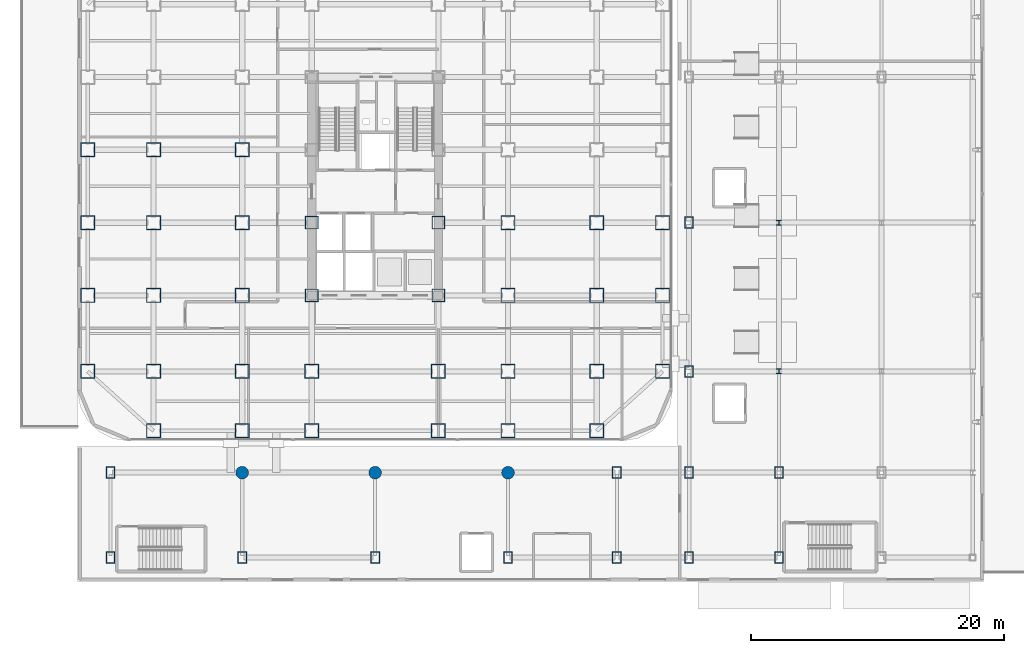
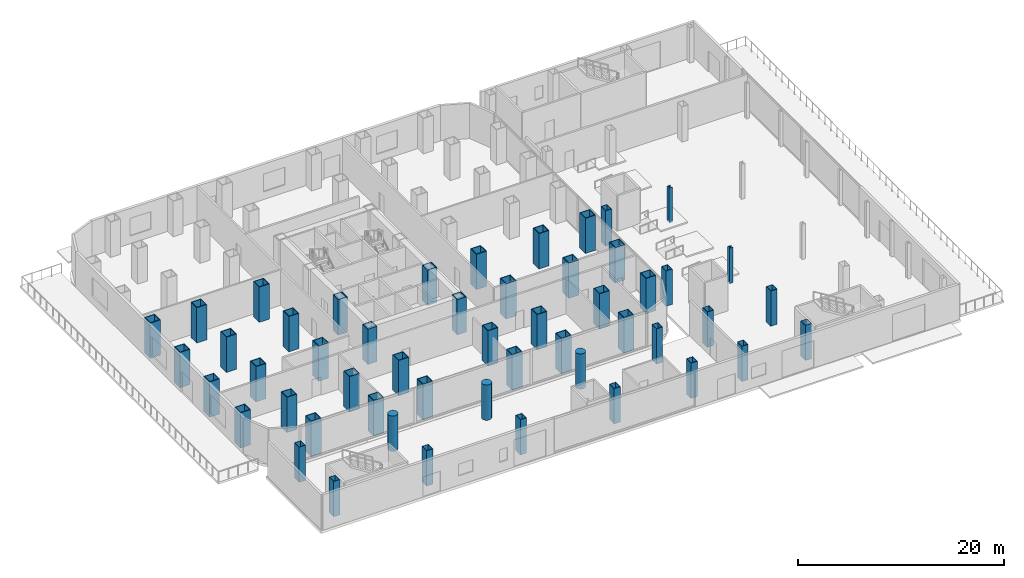
# One storey, part 1 of 31: 51 columns.
"""IFC4 building model written with IfcOpenShell, lengths in metres."""

from ifc_helpers import new_model, si_unit, direction, frame, origin, origin_2d, place, context, subcontext, project, spatial, hollow_rectangle, circle, i_section, extrude, source, transform, mapped, material, material_profile, profile_set, type_object, element, save


model = new_model("IFC4")

# Units and contexts
model_context = context("Model", 3, precision=1e-05, world=origin(), true_north=direction((0.0, 1.0)))
body_context = subcontext(model_context, "Body", "Model", "MODEL_VIEW")
ifc_project = project(units=[si_unit("LENGTHUNIT", "METRE"), si_unit("AREAUNIT", "SQUARE_METRE"), si_unit("VOLUMEUNIT", "CUBIC_METRE"), si_unit("PLANEANGLEUNIT", "RADIAN"), si_unit("MASSUNIT", "GRAM", prefix="KILO")], contexts=[model_context])

# Site, building, storey
site_placement = place(None, origin())
site = spatial("IfcSite", under=ifc_project, at=site_placement, CompositionType="ELEMENT")
building_placement = place(site_placement, origin())
building = spatial("IfcBuilding", under=site, at=building_placement, Name="Kolveth Station Tower", CompositionType="ELEMENT")
storey_placement = place(building_placement, origin())
storey = spatial("IfcBuildingStorey", under=building, at=storey_placement, Name="L00", CompositionType="ELEMENT", Elevation=0.0)

# Columns
ifc_material_1 = material(Name="Steel S460", Category="steel")
ifc_material_profile_1 = material_profile(ifc_material_1, hollow_rectangle(XDim=1.139892578125, YDim=1.139892578125, WallThickness=0.070068359375, at=origin_2d()), Name="BOX1140x1140x70")
ifc_profile_set_1 = profile_set([ifc_material_profile_1], Name="Steel S460")
column_type_1 = type_object("IfcColumnType", Name="Col_C1", PredefinedType="COLUMN", material=ifc_profile_set_1)
shared_shape_1 = source(origin(), body_context, "Body", "SweptSolid", [
    extrude(hollow_rectangle(XDim=1.139892578125, YDim=1.139892578125, WallThickness=0.070068359375, at=origin_2d()), origin(), (0.0, 0.0, 1.0), 4.179931640625),
])
for number, where, z_axis, x_axis, name in (
    (1, (6.0, 0.800048828125, 0.0), (0.0, 0.0, 1.0), (1.0, 0.0, 0.0), "L00 Tower Column S-X60"),
    (2, (13.0, 0.800048828125, 0.0), (0.0, 0.0, 1.0), (1.0, 0.0, 0.0), "L00 Tower Column S-X130"),
    (3, (18.5, 0.800048828125, 0.0), (0.0, 0.0, 1.0), (1.0, 0.0, 0.0), "L00 Tower Column S-X185"),
    (4, (28.5, 0.800048828125, 0.0), (0.0, 0.0, 1.0), (1.0, 0.0, 0.0), "L00 Tower Column S-X285"),
    (5, (34.0, 0.800048828125, 0.0), (0.0, 0.0, 1.0), (1.0, 0.0, 0.0), "L00 Tower Column S-X340"),
    (6, (41.0, 0.800048828125, 0.0), (0.0, 0.0, 1.0), (1.0, 0.0, 0.0), "L00 Tower Column S-X410"),
    (7, (0.800048828125, 5.5, 0.0), (0.0, 0.0, 1.0), (1.0, 0.0, 0.0), "L00 Tower Column W-Y55"),
    (8, (46.199951171875, 5.5, 0.0), (0.0, 0.0, 1.0), (1.0, 0.0, 0.0), "L00 Tower Column E-Y55"),
    (9, (0.800048828125, 11.5, 0.0), (0.0, 0.0, 1.0), (1.0, 0.0, 0.0), "L00 Tower Column W-Y115"),
    (10, (46.199951171875, 11.5, 0.0), (0.0, 0.0, 1.0), (1.0, 0.0, 0.0), "L00 Tower Column E-Y115"),
    (11, (0.800048828125, 17.25, 0.0), (0.0, 0.0, 1.0), (1.0, 0.0, 0.0), "L00 Tower Column W-Y172"),
    (12, (46.199951171875, 17.25, 0.0), (0.0, 0.0, 1.0), (1.0, 0.0, 0.0), "L00 Tower Column E-Y172"),
    (13, (0.800048828125, 23.0, 0.0), (0.0, 0.0, 1.0), (1.0, 0.0, 0.0), "L00 Tower Column W-Y230"),
    (14, (6.0, 5.5, 0.0), (0.0, 0.0, 1.0), (1.0, 0.0, 0.0), "L00 Tower Column G-60-55"),
    (15, (6.0, 11.5, 0.0), (0.0, 0.0, 1.0), (1.0, 0.0, 0.0), "L00 Tower Column G-60-115"),
    (16, (6.0, 17.25, 0.0), (0.0, 0.0, 1.0), (1.0, 0.0, 0.0), "L00 Tower Column G-60-172"),
    (17, (6.0, 23.0, 0.0), (0.0, 0.0, 1.0), (1.0, 0.0, 0.0), "L00 Tower Column G-60-230"),
    (18, (13.0, 5.5, 0.0), (0.0, 0.0, 1.0), (1.0, 0.0, 0.0), "L00 Tower Column G-130-55"),
    (19, (13.0, 11.5, 0.0), (0.0, 0.0, 1.0), (1.0, 0.0, 0.0), "L00 Tower Column G-130-115"),
    (20, (13.0, 17.25, 0.0), (0.0, 0.0, 1.0), (1.0, 0.0, 0.0), "L00 Tower Column G-130-172"),
    (21, (13.0, 23.0, 0.0), (0.0, 0.0, 1.0), (1.0, 0.0, 0.0), "L00 Tower Column G-130-230"),
    (22, (18.5, 5.5, 0.0), (0.0, 0.0, 1.0), (1.0, 0.0, 0.0), "L00 Tower Column G-185-55"),
    (23, (28.5, 5.5, 0.0), (0.0, 0.0, 1.0), (1.0, 0.0, 0.0), "L00 Tower Column G-285-55"),
    (24, (34.0, 5.5, 0.0), (0.0, 0.0, 1.0), (1.0, 0.0, 0.0), "L00 Tower Column G-340-55"),
    (25, (34.0, 11.5, 0.0), (0.0, 0.0, 1.0), (1.0, 0.0, 0.0), "L00 Tower Column G-340-115"),
    (26, (34.0, 17.25, 0.0), (0.0, 0.0, 1.0), (1.0, 0.0, 0.0), "L00 Tower Column G-340-172"),
    (27, (41.0, 5.5, 0.0), (0.0, 0.0, 1.0), (1.0, 0.0, 0.0), "L00 Tower Column G-410-55"),
    (28, (41.0, 11.5, 0.0), (0.0, 0.0, 1.0), (1.0, 0.0, 0.0), "L00 Tower Column G-410-115"),
    (29, (41.0, 17.25, 0.0), (0.0, 0.0, 1.0), (1.0, 0.0, 0.0), "L00 Tower Column G-410-172"),
):
    element("IfcColumn", number, at=place(storey_placement, frame(where, z_axis=z_axis, x_axis=x_axis)), inside=storey, type_object=column_type_1, Name=name, PredefinedType="COLUMN", context=body_context, shape_type="MappedRepresentation", body=[
        mapped(shared_shape_1, transform((0.0, 0.0, 0.0), x_axis=(1.0, 0.0, 0.0), y_axis=(0.0, 1.0, 0.0), z_axis=(0.0, 0.0, 1.0), scale=1.0)),
    ])
ifc_material_profile_2 = material_profile(ifc_material_1, hollow_rectangle(XDim=1.0400390625, YDim=1.0400390625, WallThickness=0.06494140625, at=origin_2d()), Name="BOX1040x1040x65")
ifc_profile_set_2 = profile_set([ifc_material_profile_2], Name="Steel S460")
column_type_2 = type_object("IfcColumnType", Name="Col_C2", PredefinedType="COLUMN", material=ifc_profile_set_2)
shared_shape_2 = source(origin(), body_context, "Body", "SweptSolid", [
    extrude(hollow_rectangle(XDim=1.0400390625, YDim=1.0400390625, WallThickness=0.06494140625, at=origin_2d()), origin(), (0.0, 0.0, 1.0), 4.179931640625),
])
for number, where, z_axis, x_axis, name in (
    (30, (18.5, 11.5, 0.0), (0.0, 0.0, 1.0), (1.0, 0.0, 0.0), "L00 Tower Column G-185-115"),
    (31, (18.5, 17.25, 0.0), (0.0, 0.0, 1.0), (1.0, 0.0, 0.0), "L00 Tower Column G-185-172"),
    (32, (28.5, 11.5, 0.0), (0.0, 0.0, 1.0), (1.0, 0.0, 0.0), "L00 Tower Column G-285-115"),
    (33, (28.5, 17.25, 0.0), (0.0, 0.0, 1.0), (1.0, 0.0, 0.0), "L00 Tower Column G-285-172"),
):
    element("IfcColumn", number, at=place(storey_placement, frame(where, z_axis=z_axis, x_axis=x_axis)), inside=storey, type_object=column_type_2, Name=name, PredefinedType="COLUMN", context=body_context, shape_type="MappedRepresentation", body=[
        mapped(shared_shape_2, transform((0.0, 0.0, 0.0), x_axis=(1.0, 0.0, 0.0), y_axis=(0.0, 1.0, 0.0), z_axis=(0.0, 0.0, 1.0), scale=1.0)),
    ])
ifc_material_2 = material(Name="Steel S355", Category="steel")
ifc_material_profile_3 = material_profile(ifc_material_2, hollow_rectangle(XDim=0.699951171875, YDim=0.89990234375, WallThickness=0.0400390625, at=origin_2d()), Name="BOX900x700x40")
ifc_profile_set_3 = profile_set([ifc_material_profile_3], Name="Steel S355")
column_type_3 = type_object("IfcColumnType", Name="Col_SC1", PredefinedType="COLUMN", material=ifc_profile_set_3)
shared_shape_3 = source(origin(), body_context, "Body", "SweptSolid", [
    extrude(hollow_rectangle(XDim=0.699951171875, YDim=0.89990234375, WallThickness=0.0400390625, at=origin_2d()), origin(), (0.0, 0.0, 1.0), 4.179931640625),
])
for number, where, z_axis, x_axis, name in (
    (34, (2.60009765625, -9.199951171875, 0.0), (0.0, 0.0, 1.0), (1.0, 0.0, 0.0), "L00 Station Column SS-A1"),
    (35, (2.60009765625, -2.5, 0.0), (0.0, 0.0, 1.0), (1.0, 0.0, 0.0), "L00 Station Column SS-B1"),
    (36, (13.0, -9.199951171875, 0.0), (0.0, 0.0, 1.0), (1.0, 0.0, 0.0), "L00 Station Column SS-A2"),
    (37, (23.5, -9.199951171875, 0.0), (0.0, 0.0, 1.0), (1.0, 0.0, 0.0), "L00 Station Column SS-A3"),
    (38, (34.0, -9.199951171875, 0.0), (0.0, 0.0, 1.0), (1.0, 0.0, 0.0), "L00 Station Column SS-A4"),
    (39, (42.60009765625, -9.199951171875, 0.0), (0.0, 0.0, 1.0), (1.0, 0.0, 0.0), "L00 Station Column SS-A5"),
    (40, (42.60009765625, -2.5, 0.0), (0.0, 0.0, 1.0), (1.0, 0.0, 0.0), "L00 Station Column SS-B5"),
    (41, (48.300048828125, -9.199951171875, 0.0), (0.0, 0.0, 1.0), (1.0, 0.0, 0.0), "L00 Station Column SE-1-1"),
    (42, (48.300048828125, -2.5, 0.0), (0.0, 0.0, 1.0), (1.0, 0.0, 0.0), "L00 Station Column SE-1-2"),
    (43, (48.300048828125, 5.5, 0.0), (0.0, 0.0, 1.0), (1.0, 0.0, 0.0), "L00 Station Column SE-1-3"),
    (44, (48.300048828125, 17.25, 0.0), (0.0, 0.0, 1.0), (1.0, 0.0, 0.0), "L00 Station Column SE-1-4"),
    (45, (55.39990234375, -9.199951171875, 0.0), (0.0, 0.0, 1.0), (1.0, 0.0, 0.0), "L00 Station Column SE-2-1"),
    (46, (55.39990234375, -2.5, 0.0), (0.0, 0.0, 1.0), (1.0, 0.0, 0.0), "L00 Station Column SE-2-2"),
):
    element("IfcColumn", number, at=place(storey_placement, frame(where, z_axis=z_axis, x_axis=x_axis)), inside=storey, type_object=column_type_3, Name=name, PredefinedType="COLUMN", context=body_context, shape_type="MappedRepresentation", body=[
        mapped(shared_shape_3, transform((0.0, 0.0, 0.0), x_axis=(1.0, 0.0, 0.0), y_axis=(0.0, 1.0, 0.0), z_axis=(0.0, 0.0, 1.0), scale=1.0)),
    ])
ifc_material_3 = material(Name="Concrete C50/60", Category="concrete")
ifc_material_profile_4 = material_profile(ifc_material_3, circle(Radius=0.5, at=origin_2d()), Name="RC-D1000")
ifc_profile_set_4 = profile_set([ifc_material_profile_4], Name="Concrete C50/60")
column_type_4 = type_object("IfcColumnType", Name="Col_CC1", PredefinedType="COLUMN", material=ifc_profile_set_4)
shared_shape_4 = source(origin(), body_context, "Body", "SweptSolid", [
    extrude(circle(Radius=0.5, at=origin_2d()), origin(), (0.0, 0.0, 1.0), 4.179931640625),
])
for number, where, z_axis, x_axis, name in (
    (47, (13.0, -2.5, 0.0), (0.0, 0.0, 1.0), (1.0, 0.0, 0.0), "L00 Station Column SS-B2"),
    (48, (23.5, -2.5, 0.0), (0.0, 0.0, 1.0), (1.0, 0.0, 0.0), "L00 Station Column SS-B3"),
    (49, (34.0, -2.5, 0.0), (0.0, 0.0, 1.0), (1.0, 0.0, 0.0), "L00 Station Column SS-B4"),
):
    element("IfcColumn", number, at=place(storey_placement, frame(where, z_axis=z_axis, x_axis=x_axis)), inside=storey, type_object=column_type_4, Name=name, PredefinedType="COLUMN", context=body_context, shape_type="MappedRepresentation", body=[
        mapped(shared_shape_4, transform((0.0, 0.0, 0.0), x_axis=(1.0, 0.0, 0.0), y_axis=(0.0, 1.0, 0.0), z_axis=(0.0, 0.0, 1.0), scale=1.0)),
    ])
ifc_material_profile_5 = material_profile(ifc_material_2, i_section(OverallWidth=0.39892578125, OverallDepth=0.39306640625, WebThickness=0.022705078125, FlangeThickness=0.03662109375, at=origin_2d()), Name="W360x287")
ifc_profile_set_5 = profile_set([ifc_material_profile_5], Name="Steel S355")
column_type_5 = type_object("IfcColumnType", Name="Col_CW1", PredefinedType="COLUMN", material=ifc_profile_set_5)
shared_shape_5 = source(origin(), body_context, "Body", "SweptSolid", [
    extrude(i_section(OverallWidth=0.39892578125, OverallDepth=0.39306640625, WebThickness=0.022705078125, FlangeThickness=0.03662109375, at=origin_2d()), origin(), (0.0, 0.0, 1.0), 4.179931640625),
])
for number, where, z_axis, x_axis, name in (
    (50, (55.39990234375, 5.5, 0.0), (0.0, 0.0, 1.0), (1.0, 0.0, 0.0), "L00 Station Column SE-2-3"),
    (51, (55.39990234375, 17.25, 0.0), (0.0, 0.0, 1.0), (1.0, 0.0, 0.0), "L00 Station Column SE-2-4"),
):
    element("IfcColumn", number, at=place(storey_placement, frame(where, z_axis=z_axis, x_axis=x_axis)), inside=storey, type_object=column_type_5, Name=name, PredefinedType="COLUMN", context=body_context, shape_type="MappedRepresentation", body=[
        mapped(shared_shape_5, transform((0.0, 0.0, 0.0), x_axis=(1.0, 0.0, 0.0), y_axis=(0.0, 1.0, 0.0), z_axis=(0.0, 0.0, 1.0), scale=1.0)),
    ])

save(model, "model.ifc")
